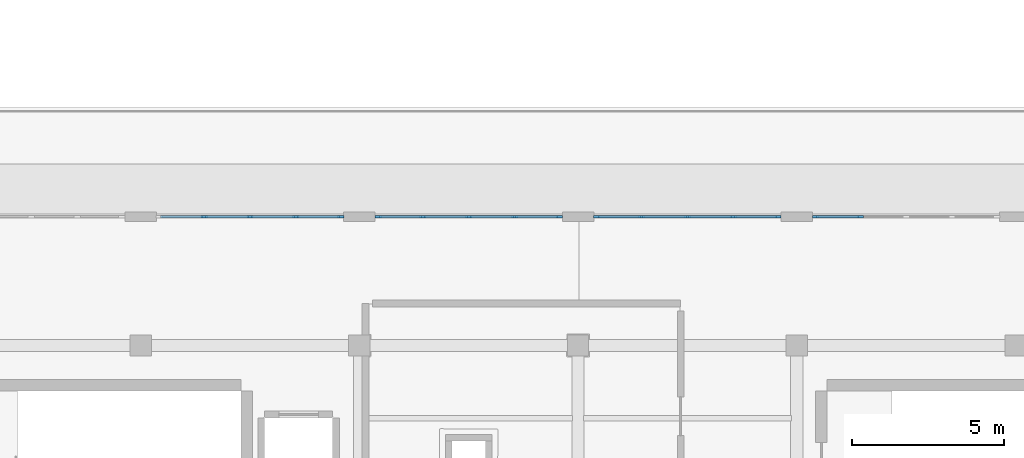
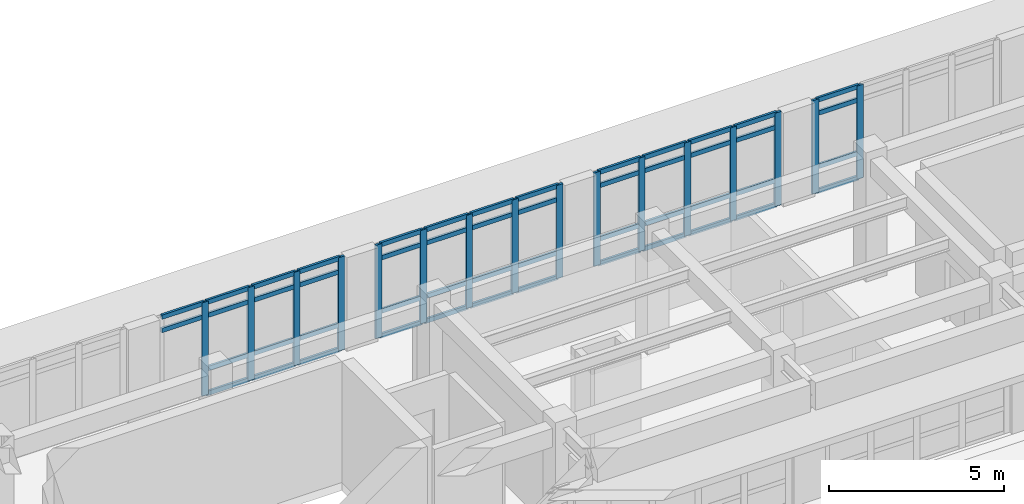
# One storey, part 13 of 55: 66 members, 4 elements without a shape of their own.
"""IFC4 building model written with IfcOpenShell, lengths in metres."""

from ifc_helpers import new_model, si_unit, direction, frame, origin, origin_2d, place, context, subcontext, project, spatial, rectangle, extrude, material, layer, layer_set, material_profile, profile_set, type_object, element, aggregate, save


model = new_model("IFC4")

# Units and contexts
model_context = context("Model", 3, precision=1e-05, world=origin(), true_north=direction((0.0, 1.0)))
body_context = subcontext(model_context, "Body", "Model", "MODEL_VIEW")
ifc_project = project(units=[si_unit("LENGTHUNIT", "METRE"), si_unit("AREAUNIT", "SQUARE_METRE"), si_unit("VOLUMEUNIT", "CUBIC_METRE"), si_unit("PLANEANGLEUNIT", "RADIAN"), si_unit("MASSUNIT", "GRAM", prefix="KILO")], contexts=[model_context])

# Site, building, storey
site_placement = place(None, origin())
site = spatial("IfcSite", under=ifc_project, at=site_placement, CompositionType="ELEMENT")
building_placement = place(site_placement, origin())
building = spatial("IfcBuilding", under=site, at=building_placement, Name="Solenvale Faculty of Natural Sciences", CompositionType="ELEMENT")
storey_placement = place(building_placement, frame((0.0, 0.0, 22.5)))
storey = spatial("IfcBuildingStorey", under=building, at=storey_placement, Name="L05", CompositionType="ELEMENT", Elevation=22.5)

# Curtain wall, members
ifc_material = material(Name="Anodised bronze aluminium", Category="aluminium")
ifc_layer = layer(ifc_material, 0.18994140625)
ifc_layer_set = layer_set([ifc_layer], Name="Anodised bronze aluminium")
curtain_wall_type = type_object("IfcCurtainWallType", Name="CW-TRAY-REC", PredefinedType="USERDEFINED", material=ifc_layer_set)
curtain_wall_1_placement = place(storey_placement, origin())
curtain_wall_1 = element("IfcCurtainWall", 1, at=curtain_wall_1_placement, inside=storey, type_object=curtain_wall_type, Name="L05 Curtain Wall CW-L05-P1-E2-B3", ObjectType="UNITISED CURTAIN WALL", PredefinedType="USERDEFINED")
ifc_material_profile_1 = material_profile(ifc_material, rectangle(XDim=0.074951171875, YDim=0.2099609375, at=origin_2d()), Name="ALU-MUL-75x210")
ifc_profile_set_1 = profile_set([ifc_material_profile_1], Name="Anodised bronze aluminium")
member_type_1 = type_object("IfcMemberType", Name="CWM-ALU-75x210", PredefinedType="MULLION", material=ifc_profile_set_1)
member_1_placement = place(storey_placement, frame((95.68994140625, 33.03759765625, 0.0), z_axis=(0.0, 0.0, 1.0), x_axis=(0.0, -1.0, 0.0)))
member_1 = element("IfcMember", 2, at=member_1_placement, type_object=member_type_1, Name="CW-02 mullion 4", PredefinedType="MULLION", context=body_context, shape_type="SweptSolid", body=[
    extrude(rectangle(XDim=0.074951171875, YDim=0.2099609375, at=origin_2d()), origin(), (0.0, 0.0, 1.0), 3.260009765625),
])
member_2_placement = place(storey_placement, frame((94.217529296875, 33.03759765625, 0.0), z_axis=(0.0, 0.0, 1.0), x_axis=(0.0, -1.0, 0.0)))
member_2 = element("IfcMember", 3, at=member_2_placement, type_object=member_type_1, Name="CW-02 mullion 5", PredefinedType="MULLION", context=body_context, shape_type="SweptSolid", body=[
    extrude(rectangle(XDim=0.074951171875, YDim=0.2099609375, at=origin_2d()), origin(), (0.0, 0.0, 1.0), 3.260009765625),
])

curtain_wall_2_placement = place(storey_placement, origin())
curtain_wall_2 = element("IfcCurtainWall", 4, at=curtain_wall_2_placement, inside=storey, type_object=curtain_wall_type, Name="L05 Curtain Wall CW-L05-P1-E2-B4", ObjectType="UNITISED CURTAIN WALL", PredefinedType="USERDEFINED")
member_3_placement = place(storey_placement, frame((92.982421875, 33.03759765625, 0.0), z_axis=(0.0, 0.0, 1.0), x_axis=(0.0, -1.0, 0.0)))
member_3 = element("IfcMember", 5, at=member_3_placement, type_object=member_type_1, Name="CW-02 mullion 1", PredefinedType="MULLION", context=body_context, shape_type="SweptSolid", body=[
    extrude(rectangle(XDim=0.074951171875, YDim=0.2099609375, at=origin_2d()), origin(), (0.0, 0.0, 1.0), 3.260009765625),
])
member_4_placement = place(storey_placement, frame((91.510009765625, 33.03759765625, 0.0), z_axis=(0.0, 0.0, 1.0), x_axis=(0.0, -1.0, 0.0)))
member_4 = element("IfcMember", 6, at=member_4_placement, type_object=member_type_1, Name="CW-02 mullion 2", PredefinedType="MULLION", context=body_context, shape_type="SweptSolid", body=[
    extrude(rectangle(XDim=0.074951171875, YDim=0.2099609375, at=origin_2d()), origin(), (0.0, 0.0, 1.0), 3.260009765625),
])
member_5_placement = place(storey_placement, frame((90.0, 33.03759765625, 0.0), z_axis=(0.0, 0.0, 1.0), x_axis=(0.0, -1.0, 0.0)))
member_5 = element("IfcMember", 7, at=member_5_placement, type_object=member_type_1, Name="CW-02 mullion 3", PredefinedType="MULLION", context=body_context, shape_type="SweptSolid", body=[
    extrude(rectangle(XDim=0.074951171875, YDim=0.2099609375, at=origin_2d()), origin(), (0.0, 0.0, 1.0), 3.260009765625),
])
member_6_placement = place(storey_placement, frame((88.489990234375, 33.03759765625, 0.0), z_axis=(0.0, 0.0, 1.0), x_axis=(0.0, -1.0, 0.0)))
member_6 = element("IfcMember", 8, at=member_6_placement, type_object=member_type_1, Name="CW-02 mullion 4", PredefinedType="MULLION", context=body_context, shape_type="SweptSolid", body=[
    extrude(rectangle(XDim=0.074951171875, YDim=0.2099609375, at=origin_2d()), origin(), (0.0, 0.0, 1.0), 3.260009765625),
])
member_7_placement = place(storey_placement, frame((87.017578125, 33.03759765625, 0.0), z_axis=(0.0, 0.0, 1.0), x_axis=(0.0, -1.0, 0.0)))
member_7 = element("IfcMember", 9, at=member_7_placement, type_object=member_type_1, Name="CW-02 mullion 5", PredefinedType="MULLION", context=body_context, shape_type="SweptSolid", body=[
    extrude(rectangle(XDim=0.074951171875, YDim=0.2099609375, at=origin_2d()), origin(), (0.0, 0.0, 1.0), 3.260009765625),
])

curtain_wall_3_placement = place(storey_placement, origin())
curtain_wall_3 = element("IfcCurtainWall", 10, at=curtain_wall_3_placement, inside=storey, type_object=curtain_wall_type, Name="L05 Curtain Wall CW-L05-P1-E2-B5", ObjectType="UNITISED CURTAIN WALL", PredefinedType="USERDEFINED")
member_8_placement = place(storey_placement, frame((85.782470703125, 33.03759765625, 0.0), z_axis=(0.0, 0.0, 1.0), x_axis=(0.0, -1.0, 0.0)))
member_8 = element("IfcMember", 11, at=member_8_placement, type_object=member_type_1, Name="CW-02 mullion 1", PredefinedType="MULLION", context=body_context, shape_type="SweptSolid", body=[
    extrude(rectangle(XDim=0.074951171875, YDim=0.2099609375, at=origin_2d()), origin(), (0.0, 0.0, 1.0), 3.260009765625),
])
member_9_placement = place(storey_placement, frame((84.31005859375, 33.03759765625, 0.0), z_axis=(0.0, 0.0, 1.0), x_axis=(0.0, -1.0, 0.0)))
member_9 = element("IfcMember", 12, at=member_9_placement, type_object=member_type_1, Name="CW-02 mullion 2", PredefinedType="MULLION", context=body_context, shape_type="SweptSolid", body=[
    extrude(rectangle(XDim=0.074951171875, YDim=0.2099609375, at=origin_2d()), origin(), (0.0, 0.0, 1.0), 3.260009765625),
])
member_10_placement = place(storey_placement, frame((82.800048828125, 33.03759765625, 0.0), z_axis=(0.0, 0.0, 1.0), x_axis=(0.0, -1.0, 0.0)))
member_10 = element("IfcMember", 13, at=member_10_placement, type_object=member_type_1, Name="CW-02 mullion 3", PredefinedType="MULLION", context=body_context, shape_type="SweptSolid", body=[
    extrude(rectangle(XDim=0.074951171875, YDim=0.2099609375, at=origin_2d()), origin(), (0.0, 0.0, 1.0), 3.260009765625),
])
member_11_placement = place(storey_placement, frame((81.2900390625, 33.03759765625, 0.0), z_axis=(0.0, 0.0, 1.0), x_axis=(0.0, -1.0, 0.0)))
member_11 = element("IfcMember", 14, at=member_11_placement, type_object=member_type_1, Name="CW-02 mullion 4", PredefinedType="MULLION", context=body_context, shape_type="SweptSolid", body=[
    extrude(rectangle(XDim=0.074951171875, YDim=0.2099609375, at=origin_2d()), origin(), (0.0, 0.0, 1.0), 3.260009765625),
])
member_12_placement = place(storey_placement, frame((79.8173828125, 33.03759765625, 0.0), z_axis=(0.0, 0.0, 1.0), x_axis=(0.0, -1.0, 0.0)))
member_12 = element("IfcMember", 15, at=member_12_placement, type_object=member_type_1, Name="CW-02 mullion 5", PredefinedType="MULLION", context=body_context, shape_type="SweptSolid", body=[
    extrude(rectangle(XDim=0.074951171875, YDim=0.2099609375, at=origin_2d()), origin(), (0.0, 0.0, 1.0), 3.260009765625),
])

curtain_wall_4_placement = place(storey_placement, origin())
curtain_wall_4 = element("IfcCurtainWall", 16, at=curtain_wall_4_placement, inside=storey, type_object=curtain_wall_type, Name="L05 Curtain Wall CW-L05-P1-E2-B6", ObjectType="UNITISED CURTAIN WALL", PredefinedType="USERDEFINED")
member_13_placement = place(storey_placement, frame((78.58251953125, 33.03759765625, 0.0), z_axis=(0.0, 0.0, 1.0), x_axis=(0.0, -1.0, 0.0)))
member_13 = element("IfcMember", 17, at=member_13_placement, type_object=member_type_1, Name="CW-02 mullion 1", PredefinedType="MULLION", context=body_context, shape_type="SweptSolid", body=[
    extrude(rectangle(XDim=0.074951171875, YDim=0.2099609375, at=origin_2d()), origin(), (0.0, 0.0, 1.0), 3.260009765625),
])
member_14_placement = place(storey_placement, frame((77.110107421875, 33.03759765625, 0.0), z_axis=(0.0, 0.0, 1.0), x_axis=(0.0, -1.0, 0.0)))
member_14 = element("IfcMember", 18, at=member_14_placement, type_object=member_type_1, Name="CW-02 mullion 2", PredefinedType="MULLION", context=body_context, shape_type="SweptSolid", body=[
    extrude(rectangle(XDim=0.074951171875, YDim=0.2099609375, at=origin_2d()), origin(), (0.0, 0.0, 1.0), 3.260009765625),
])
member_15_placement = place(storey_placement, frame((75.60009765625, 33.03759765625, 0.0), z_axis=(0.0, 0.0, 1.0), x_axis=(0.0, -1.0, 0.0)))
member_15 = element("IfcMember", 19, at=member_15_placement, type_object=member_type_1, Name="CW-02 mullion 3", PredefinedType="MULLION", context=body_context, shape_type="SweptSolid", body=[
    extrude(rectangle(XDim=0.074951171875, YDim=0.2099609375, at=origin_2d()), origin(), (0.0, 0.0, 1.0), 3.260009765625),
])
member_16_placement = place(storey_placement, frame((74.090087890625, 33.03759765625, 0.0), z_axis=(0.0, 0.0, 1.0), x_axis=(0.0, -1.0, 0.0)))
member_16 = element("IfcMember", 20, at=member_16_placement, type_object=member_type_1, Name="CW-02 mullion 4", PredefinedType="MULLION", context=body_context, shape_type="SweptSolid", body=[
    extrude(rectangle(XDim=0.074951171875, YDim=0.2099609375, at=origin_2d()), origin(), (0.0, 0.0, 1.0), 3.260009765625),
])

# Member
ifc_material_profile_2 = material_profile(ifc_material, rectangle(XDim=0.074951171875, YDim=0.155029296875, at=origin_2d()), Name="ALU-TRN-75x155")
ifc_profile_set_2 = profile_set([ifc_material_profile_2], Name="Anodised bronze aluminium")
member_type_2 = type_object("IfcMemberType", Name="CWT-ALU-75x155", PredefinedType="USERDEFINED", material=ifc_profile_set_2)
member_17_placement = place(storey_placement, frame((95.652587890625, 33.03759765625, 0.03759765625), z_axis=(-1.0, 0.0, 0.0), x_axis=(0.0, -1.0, 0.0)))
member_17 = element("IfcMember", 21, at=member_17_placement, type_object=member_type_2, Name="CW-02 transom 4.1", ObjectType="TRANSOM", PredefinedType="USERDEFINED", context=body_context, shape_type="SweptSolid", body=[
    extrude(rectangle(XDim=0.074951171875, YDim=0.155029296875, at=origin_2d()), origin(), (0.0, 0.0, 1.0), 1.397705078125),
])

member_18_placement = place(storey_placement, frame((95.652587890625, 33.03759765625, 0.89990234375), z_axis=(-1.0, 0.0, 0.0), x_axis=(0.0, -1.0, 0.0)))
member_18 = element("IfcMember", 22, at=member_18_placement, type_object=member_type_2, Name="CW-02 transom 4.2", ObjectType="TRANSOM", PredefinedType="USERDEFINED", context=body_context, shape_type="SweptSolid", body=[
    extrude(rectangle(XDim=0.074951171875, YDim=0.155029296875, at=origin_2d()), origin(), (0.0, 0.0, 1.0), 1.397705078125),
])

member_19_placement = place(storey_placement, frame((95.652587890625, 33.03759765625, 2.760009765625), z_axis=(-1.0, 0.0, 0.0), x_axis=(0.0, -1.0, 0.0)))
member_19 = element("IfcMember", 23, at=member_19_placement, type_object=member_type_2, Name="CW-02 transom 4.3", ObjectType="TRANSOM", PredefinedType="USERDEFINED", context=body_context, shape_type="SweptSolid", body=[
    extrude(rectangle(XDim=0.074951171875, YDim=0.155029296875, at=origin_2d()), origin(), (0.0, 0.0, 1.0), 1.397705078125),
])

member_20_placement = place(storey_placement, frame((95.652587890625, 33.03759765625, 3.222412109375), z_axis=(-1.0, 0.0, 0.0), x_axis=(0.0, -1.0, 0.0)))
member_20 = element("IfcMember", 24, at=member_20_placement, type_object=member_type_2, Name="CW-02 transom 4.4", ObjectType="TRANSOM", PredefinedType="USERDEFINED", context=body_context, shape_type="SweptSolid", body=[
    extrude(rectangle(XDim=0.074951171875, YDim=0.155029296875, at=origin_2d()), origin(), (0.0, 0.0, 1.0), 1.397705078125),
])

aggregate(curtain_wall_1, [member_1, member_2, member_17, member_18, member_19, member_20])

member_21_placement = place(storey_placement, frame((92.945068359375, 33.03759765625, 0.03759765625), z_axis=(-1.0, 0.0, 0.0), x_axis=(0.0, -1.0, 0.0)))
member_21 = element("IfcMember", 25, at=member_21_placement, type_object=member_type_2, Name="CW-02 transom 1.1", ObjectType="TRANSOM", PredefinedType="USERDEFINED", context=body_context, shape_type="SweptSolid", body=[
    extrude(rectangle(XDim=0.074951171875, YDim=0.155029296875, at=origin_2d()), origin(), (0.0, 0.0, 1.0), 1.3974609375),
])

member_22_placement = place(storey_placement, frame((92.945068359375, 33.03759765625, 0.89990234375), z_axis=(-1.0, 0.0, 0.0), x_axis=(0.0, -1.0, 0.0)))
member_22 = element("IfcMember", 26, at=member_22_placement, type_object=member_type_2, Name="CW-02 transom 1.2", ObjectType="TRANSOM", PredefinedType="USERDEFINED", context=body_context, shape_type="SweptSolid", body=[
    extrude(rectangle(XDim=0.074951171875, YDim=0.155029296875, at=origin_2d()), origin(), (0.0, 0.0, 1.0), 1.3974609375),
])

member_23_placement = place(storey_placement, frame((92.945068359375, 33.03759765625, 2.760009765625), z_axis=(-1.0, 0.0, 0.0), x_axis=(0.0, -1.0, 0.0)))
member_23 = element("IfcMember", 27, at=member_23_placement, type_object=member_type_2, Name="CW-02 transom 1.3", ObjectType="TRANSOM", PredefinedType="USERDEFINED", context=body_context, shape_type="SweptSolid", body=[
    extrude(rectangle(XDim=0.074951171875, YDim=0.155029296875, at=origin_2d()), origin(), (0.0, 0.0, 1.0), 1.3974609375),
])

member_24_placement = place(storey_placement, frame((92.945068359375, 33.03759765625, 3.222412109375), z_axis=(-1.0, 0.0, 0.0), x_axis=(0.0, -1.0, 0.0)))
member_24 = element("IfcMember", 28, at=member_24_placement, type_object=member_type_2, Name="CW-02 transom 1.4", ObjectType="TRANSOM", PredefinedType="USERDEFINED", context=body_context, shape_type="SweptSolid", body=[
    extrude(rectangle(XDim=0.074951171875, YDim=0.155029296875, at=origin_2d()), origin(), (0.0, 0.0, 1.0), 1.3974609375),
])

member_25_placement = place(storey_placement, frame((91.472412109375, 33.03759765625, 0.03759765625), z_axis=(-1.0, 0.0, 0.0), x_axis=(0.0, -1.0, 0.0)))
member_25 = element("IfcMember", 29, at=member_25_placement, type_object=member_type_2, Name="CW-02 transom 2.1", ObjectType="TRANSOM", PredefinedType="USERDEFINED", context=body_context, shape_type="SweptSolid", body=[
    extrude(rectangle(XDim=0.074951171875, YDim=0.155029296875, at=origin_2d()), origin(), (0.0, 0.0, 1.0), 1.434814453125),
])

member_26_placement = place(storey_placement, frame((91.472412109375, 33.03759765625, 0.89990234375), z_axis=(-1.0, 0.0, 0.0), x_axis=(0.0, -1.0, 0.0)))
member_26 = element("IfcMember", 30, at=member_26_placement, type_object=member_type_2, Name="CW-02 transom 2.2", ObjectType="TRANSOM", PredefinedType="USERDEFINED", context=body_context, shape_type="SweptSolid", body=[
    extrude(rectangle(XDim=0.074951171875, YDim=0.155029296875, at=origin_2d()), origin(), (0.0, 0.0, 1.0), 1.434814453125),
])

member_27_placement = place(storey_placement, frame((91.472412109375, 33.03759765625, 2.760009765625), z_axis=(-1.0, 0.0, 0.0), x_axis=(0.0, -1.0, 0.0)))
member_27 = element("IfcMember", 31, at=member_27_placement, type_object=member_type_2, Name="CW-02 transom 2.3", ObjectType="TRANSOM", PredefinedType="USERDEFINED", context=body_context, shape_type="SweptSolid", body=[
    extrude(rectangle(XDim=0.074951171875, YDim=0.155029296875, at=origin_2d()), origin(), (0.0, 0.0, 1.0), 1.434814453125),
])

member_28_placement = place(storey_placement, frame((91.472412109375, 33.03759765625, 3.222412109375), z_axis=(-1.0, 0.0, 0.0), x_axis=(0.0, -1.0, 0.0)))
member_28 = element("IfcMember", 32, at=member_28_placement, type_object=member_type_2, Name="CW-02 transom 2.4", ObjectType="TRANSOM", PredefinedType="USERDEFINED", context=body_context, shape_type="SweptSolid", body=[
    extrude(rectangle(XDim=0.074951171875, YDim=0.155029296875, at=origin_2d()), origin(), (0.0, 0.0, 1.0), 1.434814453125),
])

member_29_placement = place(storey_placement, frame((89.96240234375, 33.03759765625, 0.03759765625), z_axis=(-1.0, 0.0, 0.0), x_axis=(0.0, -1.0, 0.0)))
member_29 = element("IfcMember", 33, at=member_29_placement, type_object=member_type_2, Name="CW-02 transom 3.1", ObjectType="TRANSOM", PredefinedType="USERDEFINED", context=body_context, shape_type="SweptSolid", body=[
    extrude(rectangle(XDim=0.074951171875, YDim=0.155029296875, at=origin_2d()), origin(), (0.0, 0.0, 1.0), 1.434814453125),
])

member_30_placement = place(storey_placement, frame((89.96240234375, 33.03759765625, 0.89990234375), z_axis=(-1.0, 0.0, 0.0), x_axis=(0.0, -1.0, 0.0)))
member_30 = element("IfcMember", 34, at=member_30_placement, type_object=member_type_2, Name="CW-02 transom 3.2", ObjectType="TRANSOM", PredefinedType="USERDEFINED", context=body_context, shape_type="SweptSolid", body=[
    extrude(rectangle(XDim=0.074951171875, YDim=0.155029296875, at=origin_2d()), origin(), (0.0, 0.0, 1.0), 1.434814453125),
])

member_31_placement = place(storey_placement, frame((89.96240234375, 33.03759765625, 2.760009765625), z_axis=(-1.0, 0.0, 0.0), x_axis=(0.0, -1.0, 0.0)))
member_31 = element("IfcMember", 35, at=member_31_placement, type_object=member_type_2, Name="CW-02 transom 3.3", ObjectType="TRANSOM", PredefinedType="USERDEFINED", context=body_context, shape_type="SweptSolid", body=[
    extrude(rectangle(XDim=0.074951171875, YDim=0.155029296875, at=origin_2d()), origin(), (0.0, 0.0, 1.0), 1.434814453125),
])

member_32_placement = place(storey_placement, frame((89.96240234375, 33.03759765625, 3.222412109375), z_axis=(-1.0, 0.0, 0.0), x_axis=(0.0, -1.0, 0.0)))
member_32 = element("IfcMember", 36, at=member_32_placement, type_object=member_type_2, Name="CW-02 transom 3.4", ObjectType="TRANSOM", PredefinedType="USERDEFINED", context=body_context, shape_type="SweptSolid", body=[
    extrude(rectangle(XDim=0.074951171875, YDim=0.155029296875, at=origin_2d()), origin(), (0.0, 0.0, 1.0), 1.434814453125),
])

member_33_placement = place(storey_placement, frame((88.452392578125, 33.03759765625, 0.03759765625), z_axis=(-1.0, 0.0, 0.0), x_axis=(0.0, -1.0, 0.0)))
member_33 = element("IfcMember", 37, at=member_33_placement, type_object=member_type_2, Name="CW-02 transom 4.1", ObjectType="TRANSOM", PredefinedType="USERDEFINED", context=body_context, shape_type="SweptSolid", body=[
    extrude(rectangle(XDim=0.074951171875, YDim=0.155029296875, at=origin_2d()), origin(), (0.0, 0.0, 1.0), 1.3974609375),
])

member_34_placement = place(storey_placement, frame((88.452392578125, 33.03759765625, 0.89990234375), z_axis=(-1.0, 0.0, 0.0), x_axis=(0.0, -1.0, 0.0)))
member_34 = element("IfcMember", 38, at=member_34_placement, type_object=member_type_2, Name="CW-02 transom 4.2", ObjectType="TRANSOM", PredefinedType="USERDEFINED", context=body_context, shape_type="SweptSolid", body=[
    extrude(rectangle(XDim=0.074951171875, YDim=0.155029296875, at=origin_2d()), origin(), (0.0, 0.0, 1.0), 1.3974609375),
])

member_35_placement = place(storey_placement, frame((88.452392578125, 33.03759765625, 2.760009765625), z_axis=(-1.0, 0.0, 0.0), x_axis=(0.0, -1.0, 0.0)))
member_35 = element("IfcMember", 39, at=member_35_placement, type_object=member_type_2, Name="CW-02 transom 4.3", ObjectType="TRANSOM", PredefinedType="USERDEFINED", context=body_context, shape_type="SweptSolid", body=[
    extrude(rectangle(XDim=0.074951171875, YDim=0.155029296875, at=origin_2d()), origin(), (0.0, 0.0, 1.0), 1.3974609375),
])

member_36_placement = place(storey_placement, frame((88.452392578125, 33.03759765625, 3.222412109375), z_axis=(-1.0, 0.0, 0.0), x_axis=(0.0, -1.0, 0.0)))
member_36 = element("IfcMember", 40, at=member_36_placement, type_object=member_type_2, Name="CW-02 transom 4.4", ObjectType="TRANSOM", PredefinedType="USERDEFINED", context=body_context, shape_type="SweptSolid", body=[
    extrude(rectangle(XDim=0.074951171875, YDim=0.155029296875, at=origin_2d()), origin(), (0.0, 0.0, 1.0), 1.3974609375),
])

aggregate(curtain_wall_2, [member_3, member_4, member_5, member_6, member_7, member_21, member_22, member_23, member_24, member_25, member_26, member_27, member_28, member_29, member_30, member_31, member_32, member_33, member_34, member_35, member_36])

member_37_placement = place(storey_placement, frame((85.7451171875, 33.03759765625, 0.03759765625), z_axis=(-1.0, 0.0, 0.0), x_axis=(0.0, -1.0, 0.0)))
member_37 = element("IfcMember", 41, at=member_37_placement, type_object=member_type_2, Name="CW-02 transom 1.1", ObjectType="TRANSOM", PredefinedType="USERDEFINED", context=body_context, shape_type="SweptSolid", body=[
    extrude(rectangle(XDim=0.074951171875, YDim=0.155029296875, at=origin_2d()), origin(), (0.0, 0.0, 1.0), 1.397705078125),
])

member_38_placement = place(storey_placement, frame((85.7451171875, 33.03759765625, 0.89990234375), z_axis=(-1.0, 0.0, 0.0), x_axis=(0.0, -1.0, 0.0)))
member_38 = element("IfcMember", 42, at=member_38_placement, type_object=member_type_2, Name="CW-02 transom 1.2", ObjectType="TRANSOM", PredefinedType="USERDEFINED", context=body_context, shape_type="SweptSolid", body=[
    extrude(rectangle(XDim=0.074951171875, YDim=0.155029296875, at=origin_2d()), origin(), (0.0, 0.0, 1.0), 1.397705078125),
])

member_39_placement = place(storey_placement, frame((85.7451171875, 33.03759765625, 2.760009765625), z_axis=(-1.0, 0.0, 0.0), x_axis=(0.0, -1.0, 0.0)))
member_39 = element("IfcMember", 43, at=member_39_placement, type_object=member_type_2, Name="CW-02 transom 1.3", ObjectType="TRANSOM", PredefinedType="USERDEFINED", context=body_context, shape_type="SweptSolid", body=[
    extrude(rectangle(XDim=0.074951171875, YDim=0.155029296875, at=origin_2d()), origin(), (0.0, 0.0, 1.0), 1.397705078125),
])

member_40_placement = place(storey_placement, frame((85.7451171875, 33.03759765625, 3.222412109375), z_axis=(-1.0, 0.0, 0.0), x_axis=(0.0, -1.0, 0.0)))
member_40 = element("IfcMember", 44, at=member_40_placement, type_object=member_type_2, Name="CW-02 transom 1.4", ObjectType="TRANSOM", PredefinedType="USERDEFINED", context=body_context, shape_type="SweptSolid", body=[
    extrude(rectangle(XDim=0.074951171875, YDim=0.155029296875, at=origin_2d()), origin(), (0.0, 0.0, 1.0), 1.397705078125),
])

member_41_placement = place(storey_placement, frame((84.2724609375, 33.03759765625, 0.03759765625), z_axis=(-1.0, 0.0, 0.0), x_axis=(0.0, -1.0, 0.0)))
member_41 = element("IfcMember", 45, at=member_41_placement, type_object=member_type_2, Name="CW-02 transom 2.1", ObjectType="TRANSOM", PredefinedType="USERDEFINED", context=body_context, shape_type="SweptSolid", body=[
    extrude(rectangle(XDim=0.074951171875, YDim=0.155029296875, at=origin_2d()), origin(), (0.0, 0.0, 1.0), 1.43505859375),
])

member_42_placement = place(storey_placement, frame((84.2724609375, 33.03759765625, 0.89990234375), z_axis=(-1.0, 0.0, 0.0), x_axis=(0.0, -1.0, 0.0)))
member_42 = element("IfcMember", 46, at=member_42_placement, type_object=member_type_2, Name="CW-02 transom 2.2", ObjectType="TRANSOM", PredefinedType="USERDEFINED", context=body_context, shape_type="SweptSolid", body=[
    extrude(rectangle(XDim=0.074951171875, YDim=0.155029296875, at=origin_2d()), origin(), (0.0, 0.0, 1.0), 1.43505859375),
])

member_43_placement = place(storey_placement, frame((84.2724609375, 33.03759765625, 2.760009765625), z_axis=(-1.0, 0.0, 0.0), x_axis=(0.0, -1.0, 0.0)))
member_43 = element("IfcMember", 47, at=member_43_placement, type_object=member_type_2, Name="CW-02 transom 2.3", ObjectType="TRANSOM", PredefinedType="USERDEFINED", context=body_context, shape_type="SweptSolid", body=[
    extrude(rectangle(XDim=0.074951171875, YDim=0.155029296875, at=origin_2d()), origin(), (0.0, 0.0, 1.0), 1.43505859375),
])

member_44_placement = place(storey_placement, frame((84.2724609375, 33.03759765625, 3.222412109375), z_axis=(-1.0, 0.0, 0.0), x_axis=(0.0, -1.0, 0.0)))
member_44 = element("IfcMember", 48, at=member_44_placement, type_object=member_type_2, Name="CW-02 transom 2.4", ObjectType="TRANSOM", PredefinedType="USERDEFINED", context=body_context, shape_type="SweptSolid", body=[
    extrude(rectangle(XDim=0.074951171875, YDim=0.155029296875, at=origin_2d()), origin(), (0.0, 0.0, 1.0), 1.43505859375),
])

member_45_placement = place(storey_placement, frame((82.762451171875, 33.03759765625, 0.03759765625), z_axis=(-1.0, 0.0, 0.0), x_axis=(0.0, -1.0, 0.0)))
member_45 = element("IfcMember", 49, at=member_45_placement, type_object=member_type_2, Name="CW-02 transom 3.1", ObjectType="TRANSOM", PredefinedType="USERDEFINED", context=body_context, shape_type="SweptSolid", body=[
    extrude(rectangle(XDim=0.074951171875, YDim=0.155029296875, at=origin_2d()), origin(), (0.0, 0.0, 1.0), 1.43505859375),
])

member_46_placement = place(storey_placement, frame((82.762451171875, 33.03759765625, 0.89990234375), z_axis=(-1.0, 0.0, 0.0), x_axis=(0.0, -1.0, 0.0)))
member_46 = element("IfcMember", 50, at=member_46_placement, type_object=member_type_2, Name="CW-02 transom 3.2", ObjectType="TRANSOM", PredefinedType="USERDEFINED", context=body_context, shape_type="SweptSolid", body=[
    extrude(rectangle(XDim=0.074951171875, YDim=0.155029296875, at=origin_2d()), origin(), (0.0, 0.0, 1.0), 1.43505859375),
])

member_47_placement = place(storey_placement, frame((82.762451171875, 33.03759765625, 2.760009765625), z_axis=(-1.0, 0.0, 0.0), x_axis=(0.0, -1.0, 0.0)))
member_47 = element("IfcMember", 51, at=member_47_placement, type_object=member_type_2, Name="CW-02 transom 3.3", ObjectType="TRANSOM", PredefinedType="USERDEFINED", context=body_context, shape_type="SweptSolid", body=[
    extrude(rectangle(XDim=0.074951171875, YDim=0.155029296875, at=origin_2d()), origin(), (0.0, 0.0, 1.0), 1.43505859375),
])

member_48_placement = place(storey_placement, frame((82.762451171875, 33.03759765625, 3.222412109375), z_axis=(-1.0, 0.0, 0.0), x_axis=(0.0, -1.0, 0.0)))
member_48 = element("IfcMember", 52, at=member_48_placement, type_object=member_type_2, Name="CW-02 transom 3.4", ObjectType="TRANSOM", PredefinedType="USERDEFINED", context=body_context, shape_type="SweptSolid", body=[
    extrude(rectangle(XDim=0.074951171875, YDim=0.155029296875, at=origin_2d()), origin(), (0.0, 0.0, 1.0), 1.43505859375),
])

member_49_placement = place(storey_placement, frame((81.25244140625, 33.03759765625, 0.03759765625), z_axis=(-1.0, 0.0, 0.0), x_axis=(0.0, -1.0, 0.0)))
member_49 = element("IfcMember", 53, at=member_49_placement, type_object=member_type_2, Name="CW-02 transom 4.1", ObjectType="TRANSOM", PredefinedType="USERDEFINED", context=body_context, shape_type="SweptSolid", body=[
    extrude(rectangle(XDim=0.074951171875, YDim=0.155029296875, at=origin_2d()), origin(), (0.0, 0.0, 1.0), 1.3974609375),
])

member_50_placement = place(storey_placement, frame((81.25244140625, 33.03759765625, 0.89990234375), z_axis=(-1.0, 0.0, 0.0), x_axis=(0.0, -1.0, 0.0)))
member_50 = element("IfcMember", 54, at=member_50_placement, type_object=member_type_2, Name="CW-02 transom 4.2", ObjectType="TRANSOM", PredefinedType="USERDEFINED", context=body_context, shape_type="SweptSolid", body=[
    extrude(rectangle(XDim=0.074951171875, YDim=0.155029296875, at=origin_2d()), origin(), (0.0, 0.0, 1.0), 1.3974609375),
])

member_51_placement = place(storey_placement, frame((81.25244140625, 33.03759765625, 2.760009765625), z_axis=(-1.0, 0.0, 0.0), x_axis=(0.0, -1.0, 0.0)))
member_51 = element("IfcMember", 55, at=member_51_placement, type_object=member_type_2, Name="CW-02 transom 4.3", ObjectType="TRANSOM", PredefinedType="USERDEFINED", context=body_context, shape_type="SweptSolid", body=[
    extrude(rectangle(XDim=0.074951171875, YDim=0.155029296875, at=origin_2d()), origin(), (0.0, 0.0, 1.0), 1.3974609375),
])

member_52_placement = place(storey_placement, frame((81.25244140625, 33.03759765625, 3.222412109375), z_axis=(-1.0, 0.0, 0.0), x_axis=(0.0, -1.0, 0.0)))
member_52 = element("IfcMember", 56, at=member_52_placement, type_object=member_type_2, Name="CW-02 transom 4.4", ObjectType="TRANSOM", PredefinedType="USERDEFINED", context=body_context, shape_type="SweptSolid", body=[
    extrude(rectangle(XDim=0.074951171875, YDim=0.155029296875, at=origin_2d()), origin(), (0.0, 0.0, 1.0), 1.3974609375),
])

aggregate(curtain_wall_3, [member_8, member_9, member_10, member_11, member_12, member_37, member_38, member_39, member_40, member_41, member_42, member_43, member_44, member_45, member_46, member_47, member_48, member_49, member_50, member_51, member_52])

member_53_placement = place(storey_placement, frame((78.544921875, 33.03759765625, 0.03759765625), z_axis=(-1.0, 0.0, 0.0), x_axis=(0.0, -1.0, 0.0)))
member_53 = element("IfcMember", 57, at=member_53_placement, type_object=member_type_2, Name="CW-02 transom 1.1", ObjectType="TRANSOM", PredefinedType="USERDEFINED", context=body_context, shape_type="SweptSolid", body=[
    extrude(rectangle(XDim=0.074951171875, YDim=0.155029296875, at=origin_2d()), origin(), (0.0, 0.0, 1.0), 1.3974609375),
])

member_54_placement = place(storey_placement, frame((78.544921875, 33.03759765625, 0.89990234375), z_axis=(-1.0, 0.0, 0.0), x_axis=(0.0, -1.0, 0.0)))
member_54 = element("IfcMember", 58, at=member_54_placement, type_object=member_type_2, Name="CW-02 transom 1.2", ObjectType="TRANSOM", PredefinedType="USERDEFINED", context=body_context, shape_type="SweptSolid", body=[
    extrude(rectangle(XDim=0.074951171875, YDim=0.155029296875, at=origin_2d()), origin(), (0.0, 0.0, 1.0), 1.3974609375),
])

member_55_placement = place(storey_placement, frame((78.544921875, 33.03759765625, 2.760009765625), z_axis=(-1.0, 0.0, 0.0), x_axis=(0.0, -1.0, 0.0)))
member_55 = element("IfcMember", 59, at=member_55_placement, type_object=member_type_2, Name="CW-02 transom 1.3", ObjectType="TRANSOM", PredefinedType="USERDEFINED", context=body_context, shape_type="SweptSolid", body=[
    extrude(rectangle(XDim=0.074951171875, YDim=0.155029296875, at=origin_2d()), origin(), (0.0, 0.0, 1.0), 1.3974609375),
])

member_56_placement = place(storey_placement, frame((78.544921875, 33.03759765625, 3.222412109375), z_axis=(-1.0, 0.0, 0.0), x_axis=(0.0, -1.0, 0.0)))
member_56 = element("IfcMember", 60, at=member_56_placement, type_object=member_type_2, Name="CW-02 transom 1.4", ObjectType="TRANSOM", PredefinedType="USERDEFINED", context=body_context, shape_type="SweptSolid", body=[
    extrude(rectangle(XDim=0.074951171875, YDim=0.155029296875, at=origin_2d()), origin(), (0.0, 0.0, 1.0), 1.3974609375),
])

member_57_placement = place(storey_placement, frame((77.072509765625, 33.03759765625, 0.03759765625), z_axis=(-1.0, 0.0, 0.0), x_axis=(0.0, -1.0, 0.0)))
member_57 = element("IfcMember", 61, at=member_57_placement, type_object=member_type_2, Name="CW-02 transom 2.1", ObjectType="TRANSOM", PredefinedType="USERDEFINED", context=body_context, shape_type="SweptSolid", body=[
    extrude(rectangle(XDim=0.074951171875, YDim=0.155029296875, at=origin_2d()), origin(), (0.0, 0.0, 1.0), 1.43505859375),
])

member_58_placement = place(storey_placement, frame((77.072509765625, 33.03759765625, 0.89990234375), z_axis=(-1.0, 0.0, 0.0), x_axis=(0.0, -1.0, 0.0)))
member_58 = element("IfcMember", 62, at=member_58_placement, type_object=member_type_2, Name="CW-02 transom 2.2", ObjectType="TRANSOM", PredefinedType="USERDEFINED", context=body_context, shape_type="SweptSolid", body=[
    extrude(rectangle(XDim=0.074951171875, YDim=0.155029296875, at=origin_2d()), origin(), (0.0, 0.0, 1.0), 1.43505859375),
])

member_59_placement = place(storey_placement, frame((77.072509765625, 33.03759765625, 2.760009765625), z_axis=(-1.0, 0.0, 0.0), x_axis=(0.0, -1.0, 0.0)))
member_59 = element("IfcMember", 63, at=member_59_placement, type_object=member_type_2, Name="CW-02 transom 2.3", ObjectType="TRANSOM", PredefinedType="USERDEFINED", context=body_context, shape_type="SweptSolid", body=[
    extrude(rectangle(XDim=0.074951171875, YDim=0.155029296875, at=origin_2d()), origin(), (0.0, 0.0, 1.0), 1.43505859375),
])

member_60_placement = place(storey_placement, frame((77.072509765625, 33.03759765625, 3.222412109375), z_axis=(-1.0, 0.0, 0.0), x_axis=(0.0, -1.0, 0.0)))
member_60 = element("IfcMember", 64, at=member_60_placement, type_object=member_type_2, Name="CW-02 transom 2.4", ObjectType="TRANSOM", PredefinedType="USERDEFINED", context=body_context, shape_type="SweptSolid", body=[
    extrude(rectangle(XDim=0.074951171875, YDim=0.155029296875, at=origin_2d()), origin(), (0.0, 0.0, 1.0), 1.43505859375),
])

member_61_placement = place(storey_placement, frame((75.5625, 33.03759765625, 0.03759765625), z_axis=(-1.0, 0.0, 0.0), x_axis=(0.0, -1.0, 0.0)))
member_61 = element("IfcMember", 65, at=member_61_placement, type_object=member_type_2, Name="CW-02 transom 3.1", ObjectType="TRANSOM", PredefinedType="USERDEFINED", context=body_context, shape_type="SweptSolid", body=[
    extrude(rectangle(XDim=0.074951171875, YDim=0.155029296875, at=origin_2d()), origin(), (0.0, 0.0, 1.0), 1.43505859375),
])

member_62_placement = place(storey_placement, frame((75.5625, 33.03759765625, 0.89990234375), z_axis=(-1.0, 0.0, 0.0), x_axis=(0.0, -1.0, 0.0)))
member_62 = element("IfcMember", 66, at=member_62_placement, type_object=member_type_2, Name="CW-02 transom 3.2", ObjectType="TRANSOM", PredefinedType="USERDEFINED", context=body_context, shape_type="SweptSolid", body=[
    extrude(rectangle(XDim=0.074951171875, YDim=0.155029296875, at=origin_2d()), origin(), (0.0, 0.0, 1.0), 1.43505859375),
])

member_63_placement = place(storey_placement, frame((75.5625, 33.03759765625, 2.760009765625), z_axis=(-1.0, 0.0, 0.0), x_axis=(0.0, -1.0, 0.0)))
member_63 = element("IfcMember", 67, at=member_63_placement, type_object=member_type_2, Name="CW-02 transom 3.3", ObjectType="TRANSOM", PredefinedType="USERDEFINED", context=body_context, shape_type="SweptSolid", body=[
    extrude(rectangle(XDim=0.074951171875, YDim=0.155029296875, at=origin_2d()), origin(), (0.0, 0.0, 1.0), 1.43505859375),
])

member_64_placement = place(storey_placement, frame((75.5625, 33.03759765625, 3.222412109375), z_axis=(-1.0, 0.0, 0.0), x_axis=(0.0, -1.0, 0.0)))
member_64 = element("IfcMember", 68, at=member_64_placement, type_object=member_type_2, Name="CW-02 transom 3.4", ObjectType="TRANSOM", PredefinedType="USERDEFINED", context=body_context, shape_type="SweptSolid", body=[
    extrude(rectangle(XDim=0.074951171875, YDim=0.155029296875, at=origin_2d()), origin(), (0.0, 0.0, 1.0), 1.43505859375),
])

member_65_placement = place(storey_placement, frame((74.052490234375, 33.03759765625, 2.760009765625), z_axis=(-1.0, 0.0, 0.0), x_axis=(0.0, -1.0, 0.0)))
member_65 = element("IfcMember", 69, at=member_65_placement, type_object=member_type_2, Name="CW-02 transom 4.3", ObjectType="TRANSOM", PredefinedType="USERDEFINED", context=body_context, shape_type="SweptSolid", body=[
    extrude(rectangle(XDim=0.074951171875, YDim=0.155029296875, at=origin_2d()), origin(), (0.0, 0.0, 1.0), 1.3974609375),
])

member_66_placement = place(storey_placement, frame((74.052490234375, 33.03759765625, 3.222412109375), z_axis=(-1.0, 0.0, 0.0), x_axis=(0.0, -1.0, 0.0)))
member_66 = element("IfcMember", 70, at=member_66_placement, type_object=member_type_2, Name="CW-02 transom 4.4", ObjectType="TRANSOM", PredefinedType="USERDEFINED", context=body_context, shape_type="SweptSolid", body=[
    extrude(rectangle(XDim=0.074951171875, YDim=0.155029296875, at=origin_2d()), origin(), (0.0, 0.0, 1.0), 1.3974609375),
])

aggregate(curtain_wall_4, [member_13, member_14, member_15, member_16, member_53, member_54, member_55, member_56, member_57, member_58, member_59, member_60, member_61, member_62, member_63, member_64, member_65, member_66])

save(model, "model.ifc")
